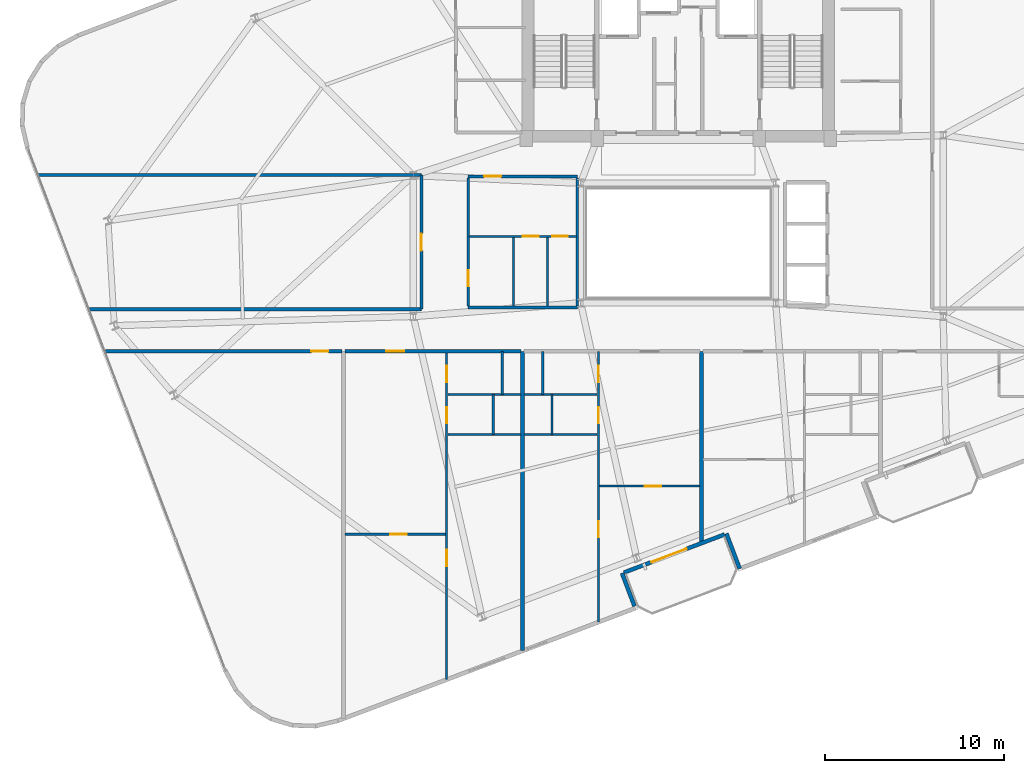
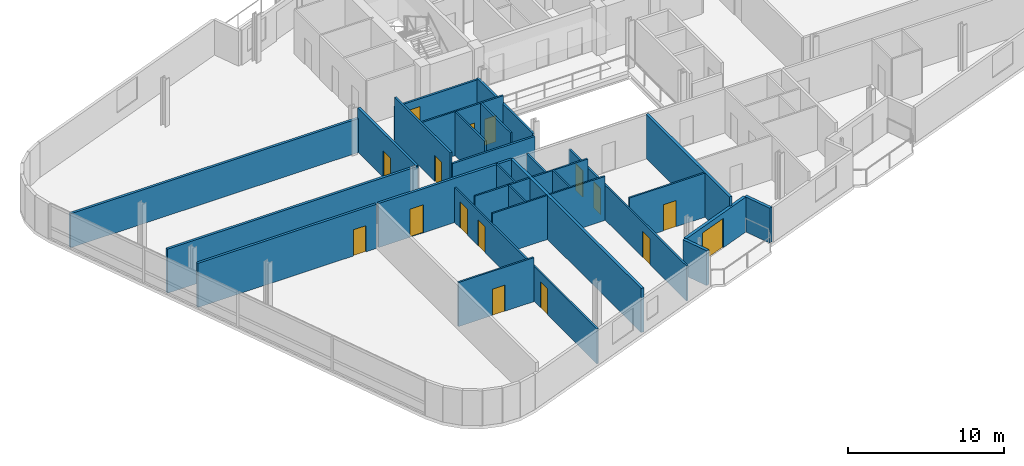
# One storey, part 14 of 20: 29 walls, 16 doors, 16 openings.
"""IFC4 building model written with IfcOpenShell, lengths in metres."""

from ifc_helpers import new_model, si_unit, direction, frame, frame_2d, origin, place, context, subcontext, project, spatial, rectangle, extrude, material, layer, layer_set, type_object, element, fill, save


model = new_model("IFC4")

# Units and contexts
model_context = context("Model", 3, precision=1e-05, world=origin(), true_north=direction((0.0, 1.0)))
body_context = subcontext(model_context, "Body", "Model", "MODEL_VIEW")
ifc_project = project(units=[si_unit("LENGTHUNIT", "METRE"), si_unit("AREAUNIT", "SQUARE_METRE"), si_unit("VOLUMEUNIT", "CUBIC_METRE"), si_unit("PLANEANGLEUNIT", "RADIAN"), si_unit("MASSUNIT", "GRAM", prefix="KILO")], contexts=[model_context])

# Site, building, storey
site_placement = place(None, origin())
site = spatial("IfcSite", under=ifc_project, at=site_placement, CompositionType="ELEMENT")
building_placement = place(site_placement, origin())
building = spatial("IfcBuilding", under=site, at=building_placement, Name="Varnelok Gate Tower", CompositionType="ELEMENT")
storey_placement = place(building_placement, frame((0.0, 0.0, 220.10009765625)))
storey = spatial("IfcBuildingStorey", under=building, at=storey_placement, Name="L56", CompositionType="ELEMENT", Elevation=220.10009765625)

# Wall, opening, door
ifc_material_1 = material(Name="Concrete C45/55", Category="concrete")
ifc_layer_1 = layer(ifc_material_1, 0.219970703125)
ifc_layer_set_1 = layer_set([ifc_layer_1], Name="Concrete C45/55")
wall_type_1 = type_object("IfcWallType", Name="EW-BALC-220", PredefinedType="SOLIDWALL", material=ifc_layer_set_1)
wall_1_placement = place(storey_placement, frame((41.783203125, 6.6142578125, 0.0), z_axis=(0.0, 0.0, 1.0), x_axis=(-0.93521416643, -0.354082565101, 0.0)))
wall_1 = element("IfcWall", 1, at=wall_1_placement, inside=storey, type_object=wall_type_1, Name="L56 South Terrace Envelope Wall 1", PredefinedType="SOLIDWALL", context=body_context, shape_type="SweptSolid", body=[
    extrude(rectangle(XDim=6.0, YDim=0.219970703125, at=frame_2d((3.0, 0.0))), origin(), (0.0, 0.0, 1.0), 2.72998046875),
])
opening_1_placement = place(wall_1_placement, frame((2.260009765625, 0.0, 0.0)))
opening_1 = element("IfcOpeningElement", 2, at=opening_1_placement, cuts=wall_1, Name="Opening BD-2", PredefinedType="OPENING", context=body_context, shape_type="SweptSolid", body=[
    extrude(rectangle(XDim=2.10009765625, YDim=2.300048828125, at=frame_2d((1.050048828125, 1.14990234375))), frame((0.0, 0.119873046875, 0.0), z_axis=(0.0, -1.0, 0.0), x_axis=(1.0, 0.0, 0.0)), (0.0, 0.0, 1.0), 0.239990234375),
])
ifc_material_2 = material(Name="Anodized Aluminum Alloy 6063-T6", Category="aluminium")
door_type_1 = type_object("IfcDoorType", Name="DR-EXT-SLID2100", OperationType="SLIDING_TO_LEFT", PredefinedType="DOOR", material=ifc_material_2)
door_1_placement = place(opening_1_placement, origin())
door_1 = element("IfcDoor", 3, at=door_1_placement, inside=storey, type_object=door_type_1, Name="L56 South Balcony Glazed Door 1", OperationType="SLIDING_TO_LEFT", OverallHeight=2.300048828125, OverallWidth=2.10009765625, PredefinedType="DOOR", context=body_context, shape_type="SweptSolid", body=[
    extrude(rectangle(XDim=2.10009765625, YDim=2.300048828125, at=frame_2d((1.050048828125, 1.14990234375))), frame((0.0, 0.02490234375, 0.0), z_axis=(0.0, -1.0, 0.0), x_axis=(1.0, 0.0, 0.0)), (0.0, 0.0, 1.0), 0.050048828125),
])
fill(opening_1, door_1)

# Walls
wall_2_placement = place(storey_placement, frame((36.75537109375, 2.609619140625, 0.0), z_axis=(0.0, 0.0, 1.0), x_axis=(-0.354020680661, 0.935237594232, 0.0)))
element("IfcWall", 4, at=wall_2_placement, inside=storey, type_object=wall_type_1, Name="L56 Perimeter Facade Closure Wall 8", PredefinedType="SOLIDWALL", context=body_context, shape_type="SweptSolid", body=[
    extrude(rectangle(XDim=1.97509765625, YDim=0.219970703125, at=frame_2d((0.987548828125, 0.0))), origin(), (0.0, 0.0, 1.0), 2.72998046875),
])
wall_3_placement = place(storey_placement, frame((41.891845703125, 6.666015625, 0.0), z_axis=(0.0, 0.0, 1.0), x_axis=(0.354128469405, -0.935196785258, 0.0)))
element("IfcWall", 5, at=wall_3_placement, inside=storey, type_object=wall_type_1, Name="L56 Perimeter Facade Closure Wall 9", PredefinedType="SOLIDWALL", context=body_context, shape_type="SweptSolid", body=[
    extrude(rectangle(XDim=2.099853515625, YDim=0.219970703125, at=frame_2d((1.0498046875, 0.0))), origin(), (0.0, 0.0, 1.0), 2.72998046875),
])

# Wall, opening, door
ifc_material_3 = material(Name="Gypsum Plasterboard Acoustic Partition", Category="gypsum")
ifc_layer_2 = layer(ifc_material_3, 0.179931640625)
ifc_layer_set_2 = layer_set([ifc_layer_2], Name="Gypsum Plasterboard Acoustic Partition")
wall_type_2 = type_object("IfcWallType", Name="PW-CORR-180", PredefinedType="PARTITIONING", material=ifc_layer_set_2)
wall_4_placement = place(storey_placement, frame((7.196044921875, 16.85009765625, 0.0), z_axis=(0.0, 0.0, 1.0), x_axis=(1.0, 0.0, 0.0)))
wall_4 = element("IfcWall", 6, at=wall_4_placement, inside=storey, type_object=wall_type_2, Name="Interior Partition", PredefinedType="PARTITIONING", context=body_context, shape_type="SweptSolid", body=[
    extrude(rectangle(XDim=13.223876953125, YDim=0.179931640625, at=frame_2d((6.61181640625, 0.0))), origin(), (0.0, 0.0, 1.0), 3.449951171875),
])
opening_2_placement = place(wall_4_placement, frame((11.50390625, 0.0, 0.0)))
opening_2 = element("IfcOpeningElement", 7, at=opening_2_placement, cuts=wall_4, Name="Opening D-I2", PredefinedType="OPENING", context=body_context, shape_type="SweptSolid", body=[
    extrude(rectangle(XDim=0.949951171875, YDim=2.050048828125, at=frame_2d((0.47509765625, 1.02490234375))), frame((0.0, 0.099853515625, 0.0), z_axis=(0.0, -1.0, 0.0), x_axis=(1.0, 0.0, 0.0)), (0.0, 0.0, 1.0), 0.199951171875),
])
ifc_material_4 = material(Name="Engineered Hardwood Timber", Category="wood")
door_type_2 = type_object("IfcDoorType", Name="DR-INT-950", OperationType="NOTDEFINED", PredefinedType="DOOR", material=ifc_material_4)
door_2_placement = place(opening_2_placement, origin())
door_2 = element("IfcDoor", 8, at=door_2_placement, inside=storey, type_object=door_type_2, Name="L56 Wellness Spa Lounge Door", OperationType="SINGLE_SWING_LEFT", OverallHeight=2.050048828125, OverallWidth=0.949951171875, PredefinedType="DOOR", context=body_context, shape_type="SweptSolid", body=[
    extrude(rectangle(XDim=0.949951171875, YDim=2.050048828125, at=frame_2d((0.47509765625, 1.02490234375))), frame((0.0, 0.02490234375, 0.0), z_axis=(0.0, -1.0, 0.0), x_axis=(1.0, 0.0, 0.0)), (0.0, 0.0, 1.0), 0.050048828125),
])
fill(opening_2, door_2)

wall_5_placement = place(storey_placement, frame((20.580078125, 16.85009765625, 0.0), z_axis=(0.0, 0.0, 1.0), x_axis=(1.0, 0.0, 0.0)))
wall_5 = element("IfcWall", 9, at=wall_5_placement, inside=storey, type_object=wall_type_2, Name="Interior Partition", PredefinedType="PARTITIONING", context=body_context, shape_type="SweptSolid", body=[
    extrude(rectangle(XDim=9.83984375, YDim=0.179931640625, at=frame_2d((4.919921875, 0.0))), origin(), (0.0, 0.0, 1.0), 3.449951171875),
])
opening_3_placement = place(wall_5_placement, frame((2.302490234375, 0.0, 0.0)))
opening_3 = element("IfcOpeningElement", 10, at=opening_3_placement, cuts=wall_5, Name="Opening D-AP", PredefinedType="OPENING", context=body_context, shape_type="SweptSolid", body=[
    extrude(rectangle(XDim=1.0, YDim=2.199951171875, at=frame_2d((0.5, 1.10009765625))), frame((0.0, 0.099853515625, 0.0), z_axis=(0.0, -1.0, 0.0), x_axis=(1.0, 0.0, 0.0)), (0.0, 0.0, 1.0), 0.199951171875),
])
door_type_3 = type_object("IfcDoorType", Name="DR-APT-1000", OperationType="NOTDEFINED", PredefinedType="DOOR", material=ifc_material_4)
door_3_placement = place(opening_3_placement, origin())
door_3 = element("IfcDoor", 11, at=door_3_placement, inside=storey, type_object=door_type_3, Name="L56 Apartment 2 Entrance Door", OperationType="SINGLE_SWING_LEFT", OverallHeight=2.199951171875, OverallWidth=1.0, PredefinedType="DOOR", context=body_context, shape_type="SweptSolid", body=[
    extrude(rectangle(XDim=1.0, YDim=2.199951171875, at=frame_2d((0.5, 1.10009765625))), frame((0.0, 0.02490234375, 0.0), z_axis=(0.0, -1.0, 0.0), x_axis=(1.0, 0.0, 0.0)), (0.0, 0.0, 1.0), 0.050048828125),
])
fill(opening_3, door_3)

wall_6_placement = place(storey_placement, frame((24.85009765625, 19.199951171875, 0.0), z_axis=(0.0, 0.0, 1.0), x_axis=(0.0, 1.0, 0.0)))
wall_6 = element("IfcWall", 12, at=wall_6_placement, inside=storey, type_object=wall_type_2, Name="Interior Partition", PredefinedType="PARTITIONING", context=body_context, shape_type="SweptSolid", body=[
    extrude(rectangle(XDim=7.5, YDim=0.179931640625, at=frame_2d((3.75, 0.0))), origin(), (0.0, 0.0, 1.0), 3.449951171875),
])
opening_4_placement = place(wall_6_placement, frame((3.27490234375, 0.0, 0.0)))
opening_4 = element("IfcOpeningElement", 13, at=opening_4_placement, cuts=wall_6, Name="Opening D-I2", PredefinedType="OPENING", context=body_context, shape_type="SweptSolid", body=[
    extrude(rectangle(XDim=0.949951171875, YDim=2.050048828125, at=frame_2d((0.47509765625, 1.02490234375))), frame((0.0, 0.099853515625, 0.0), z_axis=(0.0, -1.0, 0.0), x_axis=(1.0, 0.0, 0.0)), (0.0, 0.0, 1.0), 0.199951171875),
])
door_4_placement = place(opening_4_placement, origin())
door_4 = element("IfcDoor", 14, at=door_4_placement, inside=storey, type_object=door_type_2, Name="L56 West Flank Room Door", OperationType="SINGLE_SWING_LEFT", OverallHeight=2.050048828125, OverallWidth=0.949951171875, PredefinedType="DOOR", context=body_context, shape_type="SweptSolid", body=[
    extrude(rectangle(XDim=0.949951171875, YDim=2.050048828125, at=frame_2d((0.47509765625, 1.02490234375))), frame((0.0, 0.02490234375, 0.0), z_axis=(0.0, -1.0, 0.0), x_axis=(1.0, 0.0, 0.0)), (0.0, 0.0, 1.0), 0.050048828125),
])
fill(opening_4, door_4)

# Walls
wall_7_placement = place(storey_placement, frame((6.306396484375, 19.199951171875, 0.0), z_axis=(0.0, 0.0, 1.0), x_axis=(1.0, 0.0, 0.0)))
element("IfcWall", 15, at=wall_7_placement, inside=storey, type_object=wall_type_2, Name="Interior Partition", PredefinedType="PARTITIONING", context=body_context, shape_type="SweptSolid", body=[
    extrude(rectangle(XDim=18.543701171875, YDim=0.179931640625, at=frame_2d((9.27197265625, 0.0))), origin(), (0.0, 0.0, 1.0), 3.449951171875),
])
wall_8_placement = place(storey_placement, frame((3.467041015625, 26.699951171875, 0.0), z_axis=(0.0, 0.0, 1.0), x_axis=(1.0, 0.0, 0.0)))
element("IfcWall", 16, at=wall_8_placement, inside=storey, type_object=wall_type_2, Name="Interior Partition", PredefinedType="PARTITIONING", context=body_context, shape_type="SweptSolid", body=[
    extrude(rectangle(XDim=21.383056640625, YDim=0.179931640625, at=frame_2d((10.69140625, 0.0))), origin(), (0.0, 0.0, 1.0), 2.661865234375),
])
ifc_layer_3 = layer(ifc_material_3, 0.114990234375)
ifc_layer_set_3 = layer_set([ifc_layer_3], Name="Gypsum Plasterboard Acoustic Partition")
wall_type_3 = type_object("IfcWallType", Name="PW-ENS-125", PredefinedType="PARTITIONING", material=ifc_layer_set_3)
wall_9_placement = place(storey_placement, frame((26.3251953125, 12.199951171875, 0.0), z_axis=(0.0, 0.0, 1.0), x_axis=(1.0, 0.0, 0.0)))
element("IfcWall", 17, at=wall_9_placement, inside=storey, type_object=wall_type_3, Name="Interior Partition", PredefinedType="PARTITIONING", context=body_context, shape_type="SweptSolid", body=[
    extrude(rectangle(XDim=4.0947265625, YDim=0.114990234375, at=frame_2d((2.04736328125, 0.0))), origin(), (0.0, 0.0, 1.0), 3.449951171875),
])
wall_10_placement = place(storey_placement, frame((28.865234375, 12.199951171875, 0.0), z_axis=(0.0, 0.0, 1.0), x_axis=(0.0, 1.0, 0.0)))
element("IfcWall", 18, at=wall_10_placement, inside=storey, type_object=wall_type_3, Name="Interior Partition", PredefinedType="PARTITIONING", context=body_context, shape_type="SweptSolid", body=[
    extrude(rectangle(XDim=2.239990234375, YDim=0.114990234375, at=frame_2d((1.1201171875, 0.0))), origin(), (0.0, 0.0, 1.0), 3.449951171875),
])
wall_11_placement = place(storey_placement, frame((30.580078125, 12.199951171875, 0.0), z_axis=(0.0, 0.0, 1.0), x_axis=(1.0, 0.0, 0.0)))
element("IfcWall", 19, at=wall_11_placement, inside=storey, type_object=wall_type_3, Name="Interior Partition", PredefinedType="PARTITIONING", context=body_context, shape_type="SweptSolid", body=[
    extrude(rectangle(XDim=4.0947265625, YDim=0.114990234375, at=frame_2d((2.04736328125, 0.0))), origin(), (0.0, 0.0, 1.0), 3.449951171875),
])
wall_12_placement = place(storey_placement, frame((32.134765625, 12.199951171875, 0.0), z_axis=(0.0, 0.0, 1.0), x_axis=(0.0, 1.0, 0.0)))
element("IfcWall", 20, at=wall_12_placement, inside=storey, type_object=wall_type_3, Name="Interior Partition", PredefinedType="PARTITIONING", context=body_context, shape_type="SweptSolid", body=[
    extrude(rectangle(XDim=2.239990234375, YDim=0.114990234375, at=frame_2d((1.1201171875, 0.0))), origin(), (0.0, 0.0, 1.0), 3.449951171875),
])

# Wall, opening, door
ifc_layer_4 = layer(ifc_material_3, 0.125)
ifc_layer_set_4 = layer_set([ifc_layer_4], Name="Gypsum Plasterboard Acoustic Partition")
wall_type_4 = type_object("IfcWallType", Name="PW-PART-125", PredefinedType="PARTITIONING", material=ifc_layer_set_4)
wall_13_placement = place(storey_placement, frame((20.580078125, 6.62255859375, 0.0), z_axis=(0.0, 0.0, 1.0), x_axis=(1.0, 0.0, 0.0)))
wall_13 = element("IfcWall", 21, at=wall_13_placement, inside=storey, type_object=wall_type_4, Name="Interior Partition", PredefinedType="PARTITIONING", context=body_context, shape_type="SweptSolid", body=[
    extrude(rectangle(XDim=5.605224609375, YDim=0.125, at=frame_2d((2.802734375, 0.0))), origin(), (0.0, 0.0, 1.0), 3.449951171875),
])
opening_5_placement = place(wall_13_placement, frame((2.522216796875, 0.0, 0.0)))
opening_5 = element("IfcOpeningElement", 22, at=opening_5_placement, cuts=wall_13, Name="Opening D-I3", PredefinedType="OPENING", context=body_context, shape_type="SweptSolid", body=[
    extrude(rectangle(XDim=0.919921875, YDim=2.050048828125, at=frame_2d((0.4599609375, 1.02490234375))), frame((0.0, 0.072509765625, 0.0), z_axis=(0.0, -1.0, 0.0), x_axis=(1.0, 0.0, 0.0)), (0.0, 0.0, 1.0), 0.14501953125),
])
door_type_4 = type_object("IfcDoorType", Name="DR-INT-920", OperationType="NOTDEFINED", PredefinedType="DOOR", material=ifc_material_4)
door_5_placement = place(opening_5_placement, origin())
door_5 = element("IfcDoor", 23, at=door_5_placement, inside=storey, type_object=door_type_4, Name="L56 Apartment 2 Study Door", OperationType="SINGLE_SWING_LEFT", OverallHeight=2.050048828125, OverallWidth=0.919921875, PredefinedType="DOOR", context=body_context, shape_type="SweptSolid", body=[
    extrude(rectangle(XDim=0.919921875, YDim=2.050048828125, at=frame_2d((0.4599609375, 1.02490234375))), frame((0.0, 0.02490234375, 0.0), z_axis=(0.0, -1.0, 0.0), x_axis=(1.0, 0.0, 0.0)), (0.0, 0.0, 1.0), 0.050048828125),
])
fill(opening_5, door_5)

# Wall, openings, doors
wall_14_placement = place(storey_placement, frame((26.255126953125, -1.477783203125, 0.0), z_axis=(0.0, 0.0, 1.0), x_axis=(0.0, 1.0, 0.0)))
wall_14 = element("IfcWall", 24, at=wall_14_placement, inside=storey, type_object=wall_type_4, Name="Interior Partition", PredefinedType="PARTITIONING", context=body_context, shape_type="SweptSolid", body=[
    extrude(rectangle(XDim=18.327880859375, YDim=0.125, at=frame_2d((9.1640625, 0.0))), origin(), (0.0, 0.0, 1.0), 2.739013671875),
])
opening_6_placement = place(wall_14_placement, frame((6.319091796875, 0.0, 0.0)))
opening_6 = element("IfcOpeningElement", 25, at=opening_6_placement, cuts=wall_14, Name="Opening D-I3", PredefinedType="OPENING", context=body_context, shape_type="SweptSolid", body=[
    extrude(rectangle(XDim=0.919921875, YDim=2.050048828125, at=frame_2d((0.4599609375, 1.02490234375))), frame((0.0, 0.072509765625, 0.0), z_axis=(0.0, -1.0, 0.0), x_axis=(1.0, 0.0, 0.0)), (0.0, 0.0, 1.0), 0.14501953125),
])
opening_7_placement = place(wall_14_placement, frame((14.30517578125, 0.0, 0.0)))
opening_7 = element("IfcOpeningElement", 26, at=opening_7_placement, cuts=wall_14, Name="Opening D-WC", PredefinedType="OPENING", context=body_context, shape_type="SweptSolid", body=[
    extrude(rectangle(XDim=0.89990234375, YDim=2.050048828125, at=frame_2d((0.449951171875, 1.02490234375))), frame((0.0, 0.072509765625, 0.0), z_axis=(0.0, -1.0, 0.0), x_axis=(1.0, 0.0, 0.0)), (0.0, 0.0, 1.0), 0.14501953125),
])
opening_8_placement = place(wall_14_placement, frame((16.597900390625, 0.0, 0.0)))
opening_8 = element("IfcOpeningElement", 27, at=opening_8_placement, cuts=wall_14, Name="Opening D-I3", PredefinedType="OPENING", context=body_context, shape_type="SweptSolid", body=[
    extrude(rectangle(XDim=0.919921875, YDim=2.050048828125, at=frame_2d((0.4599609375, 1.02490234375))), frame((0.0, 0.072509765625, 0.0), z_axis=(0.0, -1.0, 0.0), x_axis=(1.0, 0.0, 0.0)), (0.0, 0.0, 1.0), 0.14501953125),
])
door_type_5 = type_object("IfcDoorType", Name="DR-BATH-900", OperationType="NOTDEFINED", PredefinedType="DOOR", material=ifc_material_4)
door_6_placement = place(opening_7_placement, origin())
door_6 = element("IfcDoor", 28, at=door_6_placement, inside=storey, type_object=door_type_5, Name="L56 Apartment 2 Bathroom Door", OperationType="SINGLE_SWING_LEFT", OverallHeight=2.050048828125, OverallWidth=0.89990234375, PredefinedType="DOOR", context=body_context, shape_type="SweptSolid", body=[
    extrude(rectangle(XDim=0.89990234375, YDim=2.050048828125, at=frame_2d((0.449951171875, 1.02490234375))), frame((0.0, 0.02490234375, 0.0), z_axis=(0.0, -1.0, 0.0), x_axis=(1.0, 0.0, 0.0)), (0.0, 0.0, 1.0), 0.050048828125),
])
fill(opening_7, door_6)
door_7_placement = place(opening_6_placement, origin())
door_7 = element("IfcDoor", 29, at=door_7_placement, inside=storey, type_object=door_type_4, Name="L56 Apartment 2 Bedroom Door", OperationType="SINGLE_SWING_RIGHT", OverallHeight=2.050048828125, OverallWidth=0.919921875, PredefinedType="DOOR", context=body_context, shape_type="SweptSolid", body=[
    extrude(rectangle(XDim=0.919921875, YDim=2.050048828125, at=frame_2d((0.4599609375, 1.02490234375))), frame((0.0, 0.02490234375, 0.0), z_axis=(0.0, -1.0, 0.0), x_axis=(1.0, 0.0, 0.0)), (0.0, 0.0, 1.0), 0.050048828125),
])
fill(opening_6, door_7)
door_8_placement = place(opening_8_placement, origin())
door_8 = element("IfcDoor", 30, at=door_8_placement, inside=storey, type_object=door_type_4, Name="L56 Apartment 2 Kitchen Door", OperationType="SINGLE_SWING_RIGHT", OverallHeight=2.050048828125, OverallWidth=0.919921875, PredefinedType="DOOR", context=body_context, shape_type="SweptSolid", body=[
    extrude(rectangle(XDim=0.919921875, YDim=2.050048828125, at=frame_2d((0.4599609375, 1.02490234375))), frame((0.0, 0.02490234375, 0.0), z_axis=(0.0, -1.0, 0.0), x_axis=(1.0, 0.0, 0.0)), (0.0, 0.0, 1.0), 0.050048828125),
])
fill(opening_8, door_8)

# Walls
wall_15_placement = place(storey_placement, frame((26.3251953125, 14.43994140625, 0.0), z_axis=(0.0, 0.0, 1.0), x_axis=(1.0, 0.0, 0.0)))
element("IfcWall", 31, at=wall_15_placement, inside=storey, type_object=wall_type_4, Name="Interior Partition", PredefinedType="PARTITIONING", context=body_context, shape_type="SweptSolid", body=[
    extrude(rectangle(XDim=4.0947265625, YDim=0.125, at=frame_2d((2.04736328125, 0.0))), origin(), (0.0, 0.0, 1.0), 3.449951171875),
])
wall_16_placement = place(storey_placement, frame((29.365234375, 14.43994140625, 0.0), z_axis=(0.0, 0.0, 1.0), x_axis=(0.0, 1.0, 0.0)))
element("IfcWall", 32, at=wall_16_placement, inside=storey, type_object=wall_type_4, Name="Interior Partition", PredefinedType="PARTITIONING", context=body_context, shape_type="SweptSolid", body=[
    extrude(rectangle(XDim=2.41015625, YDim=0.125, at=frame_2d((1.205078125, 0.0))), origin(), (0.0, 0.0, 1.0), 3.449951171875),
])

# Wall, opening, door
wall_17_placement = place(storey_placement, frame((34.814697265625, 9.31689453125, 0.0), z_axis=(0.0, 0.0, 1.0), x_axis=(1.0, 0.0, 0.0)))
wall_17 = element("IfcWall", 33, at=wall_17_placement, inside=storey, type_object=wall_type_4, Name="Interior Partition", PredefinedType="PARTITIONING", context=body_context, shape_type="SweptSolid", body=[
    extrude(rectangle(XDim=5.605224609375, YDim=0.125, at=frame_2d((2.802734375, 0.0))), origin(), (0.0, 0.0, 1.0), 3.449951171875),
])
opening_9_placement = place(wall_17_placement, frame((2.522216796875, 0.0, 0.0)))
opening_9 = element("IfcOpeningElement", 34, at=opening_9_placement, cuts=wall_17, Name="Opening D-I3", PredefinedType="OPENING", context=body_context, shape_type="SweptSolid", body=[
    extrude(rectangle(XDim=0.919921875, YDim=2.050048828125, at=frame_2d((0.4599609375, 1.02490234375))), frame((0.0, 0.072509765625, 0.0), z_axis=(0.0, -1.0, 0.0), x_axis=(1.0, 0.0, 0.0)), (0.0, 0.0, 1.0), 0.14501953125),
])
door_9_placement = place(opening_9_placement, origin())
door_9 = element("IfcDoor", 35, at=door_9_placement, inside=storey, type_object=door_type_4, Name="L56 Apartment 3 Study Door", OperationType="SINGLE_SWING_LEFT", OverallHeight=2.050048828125, OverallWidth=0.919921875, PredefinedType="DOOR", context=body_context, shape_type="SweptSolid", body=[
    extrude(rectangle(XDim=0.919921875, YDim=2.050048828125, at=frame_2d((0.4599609375, 1.02490234375))), frame((0.0, 0.02490234375, 0.0), z_axis=(0.0, -1.0, 0.0), x_axis=(1.0, 0.0, 0.0)), (0.0, 0.0, 1.0), 0.050048828125),
])
fill(opening_9, door_9)

# Wall, openings, doors
wall_18_placement = place(storey_placement, frame((34.744873046875, 1.736083984375, 0.0), z_axis=(0.0, 0.0, 1.0), x_axis=(0.0, 1.0, 0.0)))
wall_18 = element("IfcWall", 36, at=wall_18_placement, inside=storey, type_object=wall_type_4, Name="Interior Partition", PredefinedType="PARTITIONING", context=body_context, shape_type="SweptSolid", body=[
    extrude(rectangle(XDim=15.114013671875, YDim=0.125, at=frame_2d((7.55712890625, 0.0))), origin(), (0.0, 0.0, 1.0), 2.739013671875),
])
opening_10_placement = place(wall_18_placement, frame((4.7119140625, 0.0, 0.0)))
opening_10 = element("IfcOpeningElement", 37, at=opening_10_placement, cuts=wall_18, Name="Opening D-I3", PredefinedType="OPENING", context=body_context, shape_type="SweptSolid", body=[
    extrude(rectangle(XDim=0.919921875, YDim=2.050048828125, at=frame_2d((0.4599609375, 1.02490234375))), frame((0.0, 0.072509765625, 0.0), z_axis=(0.0, -1.0, 0.0), x_axis=(1.0, 0.0, 0.0)), (0.0, 0.0, 1.0), 0.14501953125),
])
opening_11_placement = place(wall_18_placement, frame((11.091064453125, 0.0, 0.0)))
opening_11 = element("IfcOpeningElement", 38, at=opening_11_placement, cuts=wall_18, Name="Opening D-WC", PredefinedType="OPENING", context=body_context, shape_type="SweptSolid", body=[
    extrude(rectangle(XDim=0.89990234375, YDim=2.050048828125, at=frame_2d((0.449951171875, 1.02490234375))), frame((0.0, 0.072509765625, 0.0), z_axis=(0.0, -1.0, 0.0), x_axis=(1.0, 0.0, 0.0)), (0.0, 0.0, 1.0), 0.14501953125),
])
opening_12_placement = place(wall_18_placement, frame((13.3837890625, 0.0, 0.0)))
opening_12 = element("IfcOpeningElement", 39, at=opening_12_placement, cuts=wall_18, Name="Opening D-I3", PredefinedType="OPENING", context=body_context, shape_type="SweptSolid", body=[
    extrude(rectangle(XDim=0.919921875, YDim=2.050048828125, at=frame_2d((0.4599609375, 1.02490234375))), frame((0.0, 0.072509765625, 0.0), z_axis=(0.0, -1.0, 0.0), x_axis=(1.0, 0.0, 0.0)), (0.0, 0.0, 1.0), 0.14501953125),
])
door_10_placement = place(opening_11_placement, origin())
door_10 = element("IfcDoor", 40, at=door_10_placement, inside=storey, type_object=door_type_5, Name="L56 Apartment 3 Bathroom Door", OperationType="SINGLE_SWING_LEFT", OverallHeight=2.050048828125, OverallWidth=0.89990234375, PredefinedType="DOOR", context=body_context, shape_type="SweptSolid", body=[
    extrude(rectangle(XDim=0.89990234375, YDim=2.050048828125, at=frame_2d((0.449951171875, 1.02490234375))), frame((0.0, 0.02490234375, 0.0), z_axis=(0.0, -1.0, 0.0), x_axis=(1.0, 0.0, 0.0)), (0.0, 0.0, 1.0), 0.050048828125),
])
fill(opening_11, door_10)
door_11_placement = place(opening_10_placement, origin())
door_11 = element("IfcDoor", 41, at=door_11_placement, inside=storey, type_object=door_type_4, Name="L56 Apartment 3 Bedroom Door", OperationType="SINGLE_SWING_RIGHT", OverallHeight=2.050048828125, OverallWidth=0.919921875, PredefinedType="DOOR", context=body_context, shape_type="SweptSolid", body=[
    extrude(rectangle(XDim=0.919921875, YDim=2.050048828125, at=frame_2d((0.4599609375, 1.02490234375))), frame((0.0, 0.02490234375, 0.0), z_axis=(0.0, -1.0, 0.0), x_axis=(1.0, 0.0, 0.0)), (0.0, 0.0, 1.0), 0.050048828125),
])
fill(opening_10, door_11)
door_12_placement = place(opening_12_placement, origin())
door_12 = element("IfcDoor", 42, at=door_12_placement, inside=storey, type_object=door_type_4, Name="L56 Apartment 3 Kitchen Door", OperationType="SINGLE_SWING_RIGHT", OverallHeight=2.050048828125, OverallWidth=0.919921875, PredefinedType="DOOR", context=body_context, shape_type="SweptSolid", body=[
    extrude(rectangle(XDim=0.919921875, YDim=2.050048828125, at=frame_2d((0.4599609375, 1.02490234375))), frame((0.0, 0.02490234375, 0.0), z_axis=(0.0, -1.0, 0.0), x_axis=(1.0, 0.0, 0.0)), (0.0, 0.0, 1.0), 0.050048828125),
])
fill(opening_12, door_12)

# Walls
wall_19_placement = place(storey_placement, frame((30.580078125, 14.43994140625, 0.0), z_axis=(0.0, 0.0, 1.0), x_axis=(1.0, 0.0, 0.0)))
element("IfcWall", 43, at=wall_19_placement, inside=storey, type_object=wall_type_4, Name="Interior Partition", PredefinedType="PARTITIONING", context=body_context, shape_type="SweptSolid", body=[
    extrude(rectangle(XDim=4.0947265625, YDim=0.125, at=frame_2d((2.04736328125, 0.0))), origin(), (0.0, 0.0, 1.0), 3.449951171875),
])
wall_20_placement = place(storey_placement, frame((31.634765625, 14.43994140625, 0.0), z_axis=(0.0, 0.0, 1.0), x_axis=(0.0, 1.0, 0.0)))
element("IfcWall", 44, at=wall_20_placement, inside=storey, type_object=wall_type_4, Name="Interior Partition", PredefinedType="PARTITIONING", context=body_context, shape_type="SweptSolid", body=[
    extrude(rectangle(XDim=2.41015625, YDim=0.125, at=frame_2d((1.205078125, 0.0))), origin(), (0.0, 0.0, 1.0), 3.449951171875),
])

# Wall, openings, doors
wall_21_placement = place(storey_placement, frame((27.52001953125, 23.27001953125, 0.0), z_axis=(0.0, 0.0, 1.0), x_axis=(1.0, 0.0, 0.0)))
wall_21 = element("IfcWall", 45, at=wall_21_placement, inside=storey, type_object=wall_type_4, Name="Interior Partition", PredefinedType="PARTITIONING", context=body_context, shape_type="SweptSolid", body=[
    extrude(rectangle(XDim=6.0, YDim=0.125, at=frame_2d((3.0, 0.0))), origin(), (0.0, 0.0, 1.0), 3.449951171875),
])
opening_13_placement = place(wall_21_placement, frame((2.981689453125, 0.0, 0.0)))
opening_13 = element("IfcOpeningElement", 46, at=opening_13_placement, cuts=wall_21, Name="Opening D-I4", PredefinedType="OPENING", context=body_context, shape_type="SweptSolid", body=[
    extrude(rectangle(XDim=0.89990234375, YDim=2.050048828125, at=frame_2d((0.449951171875, 1.02490234375))), frame((0.0, 0.072509765625, 0.0), z_axis=(0.0, -1.0, 0.0), x_axis=(1.0, 0.0, 0.0)), (0.0, 0.0, 1.0), 0.14501953125),
])
opening_14_placement = place(wall_21_placement, frame((4.64990234375, 0.0, 0.0)))
opening_14 = element("IfcOpeningElement", 47, at=opening_14_placement, cuts=wall_21, Name="Opening D-RS", PredefinedType="OPENING", context=body_context, shape_type="SweptSolid", body=[
    extrude(rectangle(XDim=0.85009765625, YDim=2.050048828125, at=frame_2d((0.425048828125, 1.02490234375))), frame((0.0, 0.072509765625, 0.0), z_axis=(0.0, -1.0, 0.0), x_axis=(1.0, 0.0, 0.0)), (0.0, 0.0, 1.0), 0.14501953125),
])
door_type_6 = type_object("IfcDoorType", Name="DR-INT-900", OperationType="NOTDEFINED", PredefinedType="DOOR", material=ifc_material_4)
door_13_placement = place(opening_13_placement, origin())
door_13 = element("IfcDoor", 48, at=door_13_placement, inside=storey, type_object=door_type_6, Name="L56 Trolley Room Door", OperationType="SINGLE_SWING_LEFT", OverallHeight=2.050048828125, OverallWidth=0.89990234375, PredefinedType="DOOR", context=body_context, shape_type="SweptSolid", body=[
    extrude(rectangle(XDim=0.89990234375, YDim=2.050048828125, at=frame_2d((0.449951171875, 1.02490234375))), frame((0.0, 0.02490234375, 0.0), z_axis=(0.0, -1.0, 0.0), x_axis=(1.0, 0.0, 0.0)), (0.0, 0.0, 1.0), 0.050048828125),
])
fill(opening_13, door_13)
ifc_material_5 = material(Name="Galvanized Steel Grade S350GD", Category="steel")
door_type_7 = type_object("IfcDoorType", Name="DR-RISER-850", OperationType="NOTDEFINED", PredefinedType="DOOR", material=ifc_material_5)
door_14_placement = place(opening_14_placement, origin())
door_14 = element("IfcDoor", 49, at=door_14_placement, inside=storey, type_object=door_type_7, Name="L56 Janitor Sink Door", OperationType="SINGLE_SWING_RIGHT", OverallHeight=2.050048828125, OverallWidth=0.85009765625, PredefinedType="DOOR", context=body_context, shape_type="SweptSolid", body=[
    extrude(rectangle(XDim=0.85009765625, YDim=2.050048828125, at=frame_2d((0.425048828125, 1.02490234375))), frame((0.0, 0.02490234375, 0.0), z_axis=(0.0, -1.0, 0.0), x_axis=(1.0, 0.0, 0.0)), (0.0, 0.0, 1.0), 0.050048828125),
])
fill(opening_14, door_14)

# Walls
for number, where, z_axis, x_axis, name in (
    (50, (30.0, 19.3798828125, 0.0), (0.0, 0.0, 1.0), (0.0, 1.0, 0.0), "Interior Partition"),
    (51, (31.89990234375, 19.3798828125, 0.0), (0.0, 0.0, 1.0), (0.0, 1.0, 0.0), "Interior Partition"),
):
    element("IfcWall", number, at=place(storey_placement, frame(where, z_axis=z_axis, x_axis=x_axis)), inside=storey, type_object=wall_type_4, Name=name, PredefinedType="PARTITIONING", context=body_context, shape_type="SweptSolid", body=[
        extrude(rectangle(XDim=3.820068359375, YDim=0.125, at=frame_2d((1.91015625, 0.0))), origin(), (0.0, 0.0, 1.0), 3.449951171875),
    ])

# Wall, opening, door
ifc_layer_5 = layer(ifc_material_3, 0.14990234375)
ifc_layer_set_5 = layer_set([ifc_layer_5], Name="Gypsum Plasterboard Acoustic Partition")
wall_type_5 = type_object("IfcWallType", Name="PW-PART-150", PredefinedType="PARTITIONING", material=ifc_layer_set_5)
wall_22_placement = place(storey_placement, frame((27.4599609375, 26.6201171875, 0.0), z_axis=(0.0, 0.0, 1.0), x_axis=(1.0, 0.0, 0.0)))
wall_22 = element("IfcWall", 52, at=wall_22_placement, inside=storey, type_object=wall_type_5, Name="Interior Partition", PredefinedType="PARTITIONING", context=body_context, shape_type="SweptSolid", body=[
    extrude(rectangle(XDim=6.10009765625, YDim=0.14990234375, at=frame_2d((3.050048828125, 0.0))), origin(), (0.0, 0.0, 1.0), 2.661865234375),
])
opening_15_placement = place(wall_22_placement, frame((0.8896484375, 0.0, 0.0)))
opening_15 = element("IfcOpeningElement", 53, at=opening_15_placement, cuts=wall_22, Name="Opening D-I2", PredefinedType="OPENING", context=body_context, shape_type="SweptSolid", body=[
    extrude(rectangle(XDim=0.949951171875, YDim=2.050048828125, at=frame_2d((0.47509765625, 1.02490234375))), frame((0.0, 0.0849609375, 0.0), z_axis=(0.0, -1.0, 0.0), x_axis=(1.0, 0.0, 0.0)), (0.0, 0.0, 1.0), 0.169921875),
])
door_15_placement = place(opening_15_placement, origin())
door_15 = element("IfcDoor", 54, at=door_15_placement, inside=storey, type_object=door_type_2, Name="L56 Private Owners Horizon Club Door", OperationType="SINGLE_SWING_LEFT", OverallHeight=2.050048828125, OverallWidth=0.949951171875, PredefinedType="DOOR", context=body_context, shape_type="SweptSolid", body=[
    extrude(rectangle(XDim=0.949951171875, YDim=2.050048828125, at=frame_2d((0.47509765625, 1.02490234375))), frame((0.0, 0.02490234375, 0.0), z_axis=(0.0, -1.0, 0.0), x_axis=(1.0, 0.0, 0.0)), (0.0, 0.0, 1.0), 0.050048828125),
])
fill(opening_15, door_15)

# Wall
wall_23_placement = place(storey_placement, frame((27.4599609375, 19.300048828125, 0.0), z_axis=(0.0, 0.0, 1.0), x_axis=(1.0, 0.0, 0.0)))
element("IfcWall", 55, at=wall_23_placement, inside=storey, type_object=wall_type_5, Name="Interior Partition", PredefinedType="PARTITIONING", context=body_context, shape_type="SweptSolid", body=[
    extrude(rectangle(XDim=6.10009765625, YDim=0.14990234375, at=frame_2d((3.050048828125, 0.0))), origin(), (0.0, 0.0, 1.0), 2.661865234375),
])

# Wall, opening, door
wall_24_placement = place(storey_placement, frame((27.4599609375, 19.3798828125, 0.0), z_axis=(0.0, 0.0, 1.0), x_axis=(0.0, 1.0, 0.0)))
wall_24 = element("IfcWall", 56, at=wall_24_placement, inside=storey, type_object=wall_type_5, Name="Interior Partition", PredefinedType="PARTITIONING", context=body_context, shape_type="SweptSolid", body=[
    extrude(rectangle(XDim=7.16015625, YDim=0.14990234375, at=frame_2d((3.580078125, 0.0))), origin(), (0.0, 0.0, 1.0), 3.449951171875),
])
opening_16_placement = place(wall_24_placement, frame((1.10009765625, 0.0, 0.0)))
opening_16 = element("IfcOpeningElement", 57, at=opening_16_placement, cuts=wall_24, Name="Opening D-WC", PredefinedType="OPENING", context=body_context, shape_type="SweptSolid", body=[
    extrude(rectangle(XDim=0.89990234375, YDim=2.050048828125, at=frame_2d((0.449951171875, 1.02490234375))), frame((0.0, 0.0849609375, 0.0), z_axis=(0.0, -1.0, 0.0), x_axis=(1.0, 0.0, 0.0)), (0.0, 0.0, 1.0), 0.169921875),
])
door_16_placement = place(opening_16_placement, origin())
door_16 = element("IfcDoor", 58, at=door_16_placement, inside=storey, type_object=door_type_5, Name="L56 Accessible Floor WC Door", OperationType="SINGLE_SWING_RIGHT", OverallHeight=2.050048828125, OverallWidth=0.89990234375, PredefinedType="DOOR", context=body_context, shape_type="SweptSolid", body=[
    extrude(rectangle(XDim=0.89990234375, YDim=2.050048828125, at=frame_2d((0.449951171875, 1.02490234375))), frame((0.0, 0.02490234375, 0.0), z_axis=(0.0, -1.0, 0.0), x_axis=(1.0, 0.0, 0.0)), (0.0, 0.0, 1.0), 0.050048828125),
])
fill(opening_16, door_16)

# Walls
wall_25_placement = place(storey_placement, frame((33.56005859375, 19.3798828125, 0.0), z_axis=(0.0, 0.0, 1.0), x_axis=(0.0, 1.0, 0.0)))
element("IfcWall", 59, at=wall_25_placement, inside=storey, type_object=wall_type_5, Name="Interior Partition", PredefinedType="PARTITIONING", context=body_context, shape_type="SweptSolid", body=[
    extrude(rectangle(XDim=7.16015625, YDim=0.14990234375, at=frame_2d((3.580078125, 0.0))), origin(), (0.0, 0.0, 1.0), 2.823974609375),
])
ifc_layer_6 = layer(ifc_material_3, 0.205078125)
ifc_layer_set_6 = layer_set([ifc_layer_6], Name="Gypsum Plasterboard Acoustic Partition")
wall_type_6 = type_object("IfcWallType", Name="PW-PARTY-200", PredefinedType="PARTITIONING", material=ifc_layer_set_6)
wall_26_placement = place(storey_placement, frame((30.5, 0.129150390625, 0.0), z_axis=(0.0, 0.0, 1.0), x_axis=(0.0, 1.0, 0.0)))
element("IfcWall", 60, at=wall_26_placement, inside=storey, type_object=wall_type_6, Name="L56 South Party Wall 2", PredefinedType="PARTITIONING", context=body_context, shape_type="SweptSolid", body=[
    extrude(rectangle(XDim=16.720947265625, YDim=0.205078125, at=frame_2d((8.3603515625, 0.0))), origin(), (0.0, 0.0, 1.0), 3.449951171875),
])
wall_27_placement = place(storey_placement, frame((40.5, 6.160400390625, 0.0), z_axis=(0.0, 0.0, 1.0), x_axis=(0.0, 1.0, 0.0)))
element("IfcWall", 61, at=wall_27_placement, inside=storey, type_object=wall_type_6, Name="L56 South Party Wall 3", PredefinedType="PARTITIONING", context=body_context, shape_type="SweptSolid", body=[
    extrude(rectangle(XDim=10.689697265625, YDim=0.205078125, at=frame_2d((5.3447265625, 0.0))), origin(), (0.0, 0.0, 1.0), 3.449951171875),
])

save(model, "model.ifc")
